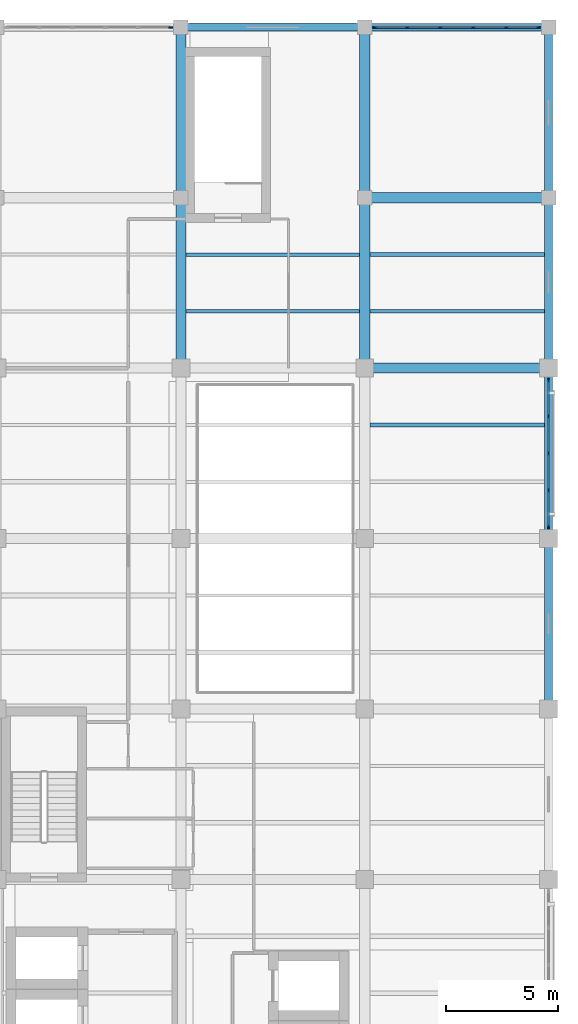
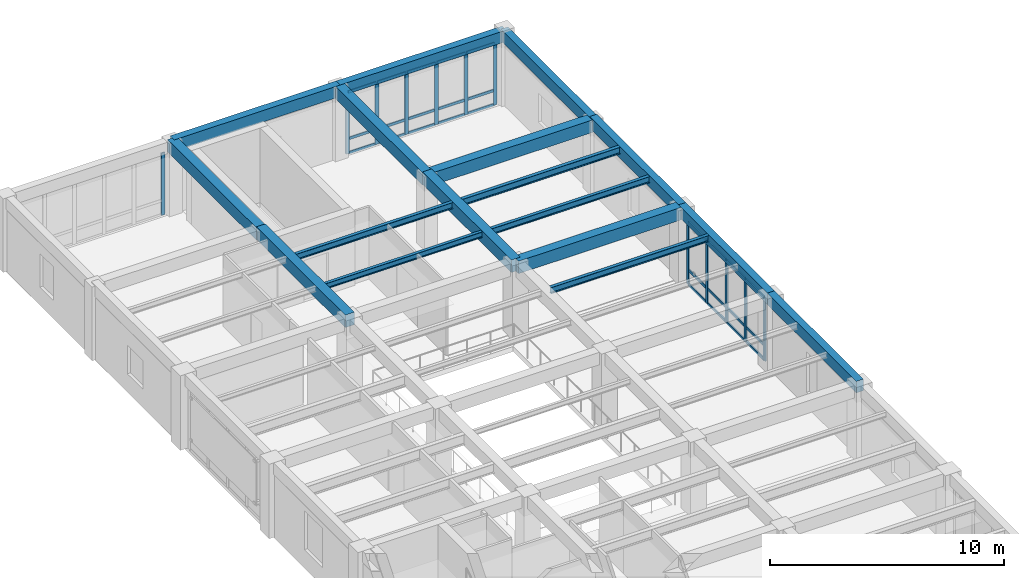
# One storey, part 5 of 15: 39 members, 17 beams, 3 elements without a shape of their own.
"""IFC4 building model written with IfcOpenShell, lengths in metres."""

from ifc_helpers import new_model, si_unit, direction, frame, origin, origin_2d, place, context, subcontext, project, spatial, rectangle, i_section, extrude, material, material_profile, profile_set, type_object, element, aggregate, save


model = new_model("IFC4")

# Units and contexts
model_context = context("Model", 3, precision=1e-05, world=origin(), true_north=direction((0.0, 1.0)))
body_context = subcontext(model_context, "Body", "Model", "MODEL_VIEW")
ifc_project = project(units=[si_unit("LENGTHUNIT", "METRE"), si_unit("AREAUNIT", "SQUARE_METRE"), si_unit("VOLUMEUNIT", "CUBIC_METRE"), si_unit("PLANEANGLEUNIT", "RADIAN"), si_unit("MASSUNIT", "GRAM", prefix="KILO")], contexts=[model_context])

# Site, building, storey
site_placement = place(None, origin())
site = spatial("IfcSite", under=ifc_project, at=site_placement, CompositionType="ELEMENT")
building_placement = place(site_placement, origin())
building = spatial("IfcBuilding", under=site, at=building_placement, Name="Qandaris Square Conservatory and Botanical Centre", CompositionType="ELEMENT")
storey_placement = place(building_placement, frame((0.0, 0.0, 32.39990234375)))
storey = spatial("IfcBuildingStorey", under=building, at=storey_placement, Name="L07", CompositionType="ELEMENT", Elevation=32.39990234375)

# Beams
ifc_material_1 = material(Name="Steel S355", Category="steel")
ifc_material_profile_1 = material_profile(ifc_material_1, i_section(OverallWidth=0.14990234375, OverallDepth=0.300048828125, WebThickness=0.007080078125, FlangeThickness=0.0107421875, FilletRadius=0.014892578125, at=origin_2d()), Name="IPE 300")
ifc_profile_set_1 = profile_set([ifc_material_profile_1], Name="Steel S355")
beam_type_1 = type_object("IfcBeamType", Name="Composite Lab Joist IPE 300", PredefinedType="JOIST", material=ifc_profile_set_1)
beam_1_placement = place(storey_placement, frame((147.625, 64.7333984375, 3.72998046875), z_axis=(1.0, 0.0, 0.0), x_axis=(0.0, 1.0, 0.0)))
element("IfcBeam", 1, at=beam_1_placement, inside=storey, type_object=beam_type_1, Name="L07 Composite Joist 2194", PredefinedType="JOIST", context=body_context, shape_type="SweptSolid", body=[
    extrude(i_section(OverallWidth=0.14990234375, OverallDepth=0.300048828125, WebThickness=0.007080078125, FlangeThickness=0.0107421875, FilletRadius=0.014892578125, at=origin_2d()), origin(), (0.0, 0.0, 1.0), 7.75),
])
ifc_material_profile_2 = material_profile(ifc_material_1, i_section(OverallWidth=0.159912109375, OverallDepth=0.330078125, WebThickness=0.007568359375, FlangeThickness=0.011474609375, FilletRadius=0.01806640625, at=origin_2d()), Name="IPE 330")
ifc_profile_set_2 = profile_set([ifc_material_profile_2], Name="Steel S355")
beam_type_2 = type_object("IfcBeamType", Name="Composite Lab Joist IPE 330", PredefinedType="JOIST", material=ifc_profile_set_2)
beam_2_placement = place(storey_placement, frame((147.625, 67.2666015625, 3.715087890625), z_axis=(1.0, 0.0, 0.0), x_axis=(0.0, 1.0, 0.0)))
element("IfcBeam", 2, at=beam_2_placement, inside=storey, type_object=beam_type_2, Name="L07 Composite Joist 2195", PredefinedType="JOIST", context=body_context, shape_type="SweptSolid", body=[
    extrude(i_section(OverallWidth=0.159912109375, OverallDepth=0.330078125, WebThickness=0.007568359375, FlangeThickness=0.011474609375, FilletRadius=0.01806640625, at=origin_2d()), origin(), (0.0, 0.0, 1.0), 7.75),
])
for number, where, z_axis, x_axis, name in (
    (3, (155.824951171875, 59.666748046875, 3.715087890625), (1.0, 0.0, 0.0), (0.0, 1.0, 0.0), "L07 Composite Joist 2207"),
    (4, (155.824951171875, 64.7333984375, 3.715087890625), (1.0, 0.0, 0.0), (0.0, 1.0, 0.0), "L07 Composite Joist 2208"),
):
    element("IfcBeam", number, at=place(storey_placement, frame(where, z_axis=z_axis, x_axis=x_axis)), inside=storey, type_object=beam_type_2, Name=name, PredefinedType="JOIST", context=body_context, shape_type="SweptSolid", body=[
        extrude(i_section(OverallWidth=0.159912109375, OverallDepth=0.330078125, WebThickness=0.007568359375, FlangeThickness=0.011474609375, FilletRadius=0.01806640625, at=origin_2d()), origin(), (0.0, 0.0, 1.0), 7.800048828125),
    ])
ifc_material_profile_3 = material_profile(ifc_material_1, i_section(OverallWidth=0.169921875, OverallDepth=0.360107421875, WebThickness=0.008056640625, FlangeThickness=0.0126953125, FilletRadius=0.01806640625, at=origin_2d()), Name="IPE 360")
ifc_profile_set_3 = profile_set([ifc_material_profile_3], Name="Steel S355")
beam_type_3 = type_object("IfcBeamType", Name="Composite Lab Joist IPE 360", PredefinedType="JOIST", material=ifc_profile_set_3)
beam_3_placement = place(storey_placement, frame((155.824951171875, 67.2666015625, 3.7001953125), z_axis=(1.0, 0.0, 0.0), x_axis=(0.0, 1.0, 0.0)))
element("IfcBeam", 5, at=beam_3_placement, inside=storey, type_object=beam_type_3, Name="L07 Composite Joist 2209", PredefinedType="JOIST", context=body_context, shape_type="SweptSolid", body=[
    extrude(i_section(OverallWidth=0.169921875, OverallDepth=0.360107421875, WebThickness=0.008056640625, FlangeThickness=0.0126953125, FilletRadius=0.01806640625, at=origin_2d()), origin(), (0.0, 0.0, 1.0), 7.800048828125),
])

# Curtain wall, members
ifc_material_2 = material(Name="Anodised Aluminium", Category="aluminium")
curtain_wall_type_1 = type_object("IfcCurtainWallType", Name="Unitised Curtain Wall CW-4-660x329", PredefinedType="USERDEFINED", material=ifc_material_2)
curtain_wall_1_placement = place(storey_placement, origin())
curtain_wall_1 = element("IfcCurtainWall", 6, at=curtain_wall_1_placement, inside=storey, type_object=curtain_wall_type_1, Name="Curtain Wall CW-TWR-L07-2-6", ObjectType="GLAZED CURTAIN WALL", PredefinedType="USERDEFINED")
ifc_material_profile_4 = material_profile(ifc_material_2, rectangle(XDim=0.06494140625, YDim=0.179931640625, at=origin_2d()), Name="ALU-MUL 65x180")
ifc_profile_set_4 = profile_set([ifc_material_profile_4], Name="Anodised Aluminium")
member_type_1 = type_object("IfcMemberType", Name="Curtain Wall Mullion 65x180", PredefinedType="MULLION", material=ifc_profile_set_4)
member_1_placement = place(storey_placement, frame((163.800048828125, 55.132568359375, 0.0), z_axis=(0.0, 0.0, 1.0), x_axis=(-1.0, 0.0, 0.0)))
member_1 = element("IfcMember", 7, at=member_1_placement, type_object=member_type_1, Name="CW-4-660x329 mullion 1", PredefinedType="MULLION", context=body_context, shape_type="SweptSolid", body=[
    extrude(rectangle(XDim=0.06494140625, YDim=0.179931640625, at=origin_2d()), origin(), (0.0, 0.0, 1.0), 3.2900390625),
])
member_2_placement = place(storey_placement, frame((163.800048828125, 56.75, 0.0), z_axis=(0.0, 0.0, 1.0), x_axis=(-1.0, 0.0, 0.0)))
member_2 = element("IfcMember", 8, at=member_2_placement, type_object=member_type_1, Name="CW-4-660x329 mullion 2", PredefinedType="MULLION", context=body_context, shape_type="SweptSolid", body=[
    extrude(rectangle(XDim=0.06494140625, YDim=0.179931640625, at=origin_2d()), origin(), (0.0, 0.0, 1.0), 3.2900390625),
])
member_3_placement = place(storey_placement, frame((163.800048828125, 58.39990234375, 0.0), z_axis=(0.0, 0.0, 1.0), x_axis=(-1.0, 0.0, 0.0)))
member_3 = element("IfcMember", 9, at=member_3_placement, type_object=member_type_1, Name="CW-4-660x329 mullion 3", PredefinedType="MULLION", context=body_context, shape_type="SweptSolid", body=[
    extrude(rectangle(XDim=0.06494140625, YDim=0.179931640625, at=origin_2d()), origin(), (0.0, 0.0, 1.0), 3.2900390625),
])
member_4_placement = place(storey_placement, frame((163.800048828125, 60.050048828125, 0.0), z_axis=(0.0, 0.0, 1.0), x_axis=(-1.0, 0.0, 0.0)))
member_4 = element("IfcMember", 10, at=member_4_placement, type_object=member_type_1, Name="CW-4-660x329 mullion 4", PredefinedType="MULLION", context=body_context, shape_type="SweptSolid", body=[
    extrude(rectangle(XDim=0.06494140625, YDim=0.179931640625, at=origin_2d()), origin(), (0.0, 0.0, 1.0), 3.2900390625),
])
member_5_placement = place(storey_placement, frame((163.800048828125, 61.66748046875, 0.0), z_axis=(0.0, 0.0, 1.0), x_axis=(-1.0, 0.0, 0.0)))
member_5 = element("IfcMember", 11, at=member_5_placement, type_object=member_type_1, Name="CW-4-660x329 mullion 5", PredefinedType="MULLION", context=body_context, shape_type="SweptSolid", body=[
    extrude(rectangle(XDim=0.06494140625, YDim=0.179931640625, at=origin_2d()), origin(), (0.0, 0.0, 1.0), 3.2900390625),
])

curtain_wall_type_2 = type_object("IfcCurtainWallType", Name="Unitised Curtain Wall CW-3-735x324", PredefinedType="USERDEFINED", material=ifc_material_2)
curtain_wall_2_placement = place(storey_placement, origin())
curtain_wall_2 = element("IfcCurtainWall", 12, at=curtain_wall_2_placement, inside=storey, type_object=curtain_wall_type_2, Name="Curtain Wall CW-TWR-L07-3-1", ObjectType="GLAZED CURTAIN WALL", PredefinedType="USERDEFINED")
member_6_placement = place(storey_placement, frame((163.342529296875, 77.39990234375, 0.0), z_axis=(0.0, 0.0, 1.0), x_axis=(0.0, -1.0, 0.0)))
member_6 = element("IfcMember", 13, at=member_6_placement, type_object=member_type_1, Name="CW-3-735x324 mullion 1", PredefinedType="MULLION", context=body_context, shape_type="SweptSolid", body=[
    extrude(rectangle(XDim=0.06494140625, YDim=0.179931640625, at=origin_2d()), origin(), (0.0, 0.0, 1.0), 3.239990234375),
])
member_7_placement = place(storey_placement, frame((161.905029296875, 77.39990234375, 0.0), z_axis=(0.0, 0.0, 1.0), x_axis=(0.0, -1.0, 0.0)))
member_7 = element("IfcMember", 14, at=member_7_placement, type_object=member_type_1, Name="CW-3-735x324 mullion 2", PredefinedType="MULLION", context=body_context, shape_type="SweptSolid", body=[
    extrude(rectangle(XDim=0.06494140625, YDim=0.179931640625, at=origin_2d()), origin(), (0.0, 0.0, 1.0), 3.239990234375),
])
member_8_placement = place(storey_placement, frame((160.43505859375, 77.39990234375, 0.0), z_axis=(0.0, 0.0, 1.0), x_axis=(0.0, -1.0, 0.0)))
member_8 = element("IfcMember", 15, at=member_8_placement, type_object=member_type_1, Name="CW-3-735x324 mullion 3", PredefinedType="MULLION", context=body_context, shape_type="SweptSolid", body=[
    extrude(rectangle(XDim=0.06494140625, YDim=0.179931640625, at=origin_2d()), origin(), (0.0, 0.0, 1.0), 3.239990234375),
])
member_9_placement = place(storey_placement, frame((158.965087890625, 77.39990234375, 0.0), z_axis=(0.0, 0.0, 1.0), x_axis=(0.0, -1.0, 0.0)))
member_9 = element("IfcMember", 16, at=member_9_placement, type_object=member_type_1, Name="CW-3-735x324 mullion 4", PredefinedType="MULLION", context=body_context, shape_type="SweptSolid", body=[
    extrude(rectangle(XDim=0.06494140625, YDim=0.179931640625, at=origin_2d()), origin(), (0.0, 0.0, 1.0), 3.239990234375),
])
member_10_placement = place(storey_placement, frame((157.4951171875, 77.39990234375, 0.0), z_axis=(0.0, 0.0, 1.0), x_axis=(0.0, -1.0, 0.0)))
member_10 = element("IfcMember", 17, at=member_10_placement, type_object=member_type_1, Name="CW-3-735x324 mullion 5", PredefinedType="MULLION", context=body_context, shape_type="SweptSolid", body=[
    extrude(rectangle(XDim=0.06494140625, YDim=0.179931640625, at=origin_2d()), origin(), (0.0, 0.0, 1.0), 3.239990234375),
])
member_11_placement = place(storey_placement, frame((156.0576171875, 77.39990234375, 0.0), z_axis=(0.0, 0.0, 1.0), x_axis=(0.0, -1.0, 0.0)))
member_11 = element("IfcMember", 18, at=member_11_placement, type_object=member_type_1, Name="CW-3-735x324 mullion 6", PredefinedType="MULLION", context=body_context, shape_type="SweptSolid", body=[
    extrude(rectangle(XDim=0.06494140625, YDim=0.179931640625, at=origin_2d()), origin(), (0.0, 0.0, 1.0), 3.239990234375),
])

# Curtain wall, member
curtain_wall_3_placement = place(storey_placement, origin())
curtain_wall_3 = element("IfcCurtainWall", 19, at=curtain_wall_3_placement, inside=storey, type_object=curtain_wall_type_2, Name="Curtain Wall CW-TWR-L07-3-3", ObjectType="GLAZED CURTAIN WALL", PredefinedType="USERDEFINED")
member_12_placement = place(storey_placement, frame((146.9423828125, 77.39990234375, 0.0), z_axis=(0.0, 0.0, 1.0), x_axis=(0.0, -1.0, 0.0)))
member_12 = element("IfcMember", 20, at=member_12_placement, type_object=member_type_1, Name="CW-3-735x324 mullion 1", PredefinedType="MULLION", context=body_context, shape_type="SweptSolid", body=[
    extrude(rectangle(XDim=0.06494140625, YDim=0.179931640625, at=origin_2d()), origin(), (0.0, 0.0, 1.0), 3.239990234375),
])
aggregate(curtain_wall_3, [member_12])

# Member
ifc_material_profile_5 = material_profile(ifc_material_2, rectangle(XDim=0.06494140625, YDim=0.139892578125, at=origin_2d()), Name="ALU-TRN 65x140")
ifc_profile_set_5 = profile_set([ifc_material_profile_5], Name="Anodised Aluminium")
member_type_2 = type_object("IfcMemberType", Name="Curtain Wall Transom 65x140", PredefinedType="USERDEFINED", material=ifc_profile_set_5)
member_13_placement = place(storey_placement, frame((163.800048828125, 55.1650390625, 0.03271484375), z_axis=(0.0, 1.0, 0.0), x_axis=(-1.0, 0.0, 0.0)))
member_13 = element("IfcMember", 21, at=member_13_placement, type_object=member_type_2, Name="CW-4-660x329 transom 1.1", ObjectType="TRANSOM", PredefinedType="USERDEFINED", context=body_context, shape_type="SweptSolid", body=[
    extrude(rectangle(XDim=0.06494140625, YDim=0.139892578125, at=origin_2d()), origin(), (0.0, 0.0, 1.0), 1.552490234375),
])

member_14_placement = place(storey_placement, frame((163.800048828125, 55.1650390625, 0.789794921875), z_axis=(0.0, 1.0, 0.0), x_axis=(-1.0, 0.0, 0.0)))
member_14 = element("IfcMember", 22, at=member_14_placement, type_object=member_type_2, Name="CW-4-660x329 transom 1.2", ObjectType="TRANSOM", PredefinedType="USERDEFINED", context=body_context, shape_type="SweptSolid", body=[
    extrude(rectangle(XDim=0.06494140625, YDim=0.139892578125, at=origin_2d()), origin(), (0.0, 0.0, 1.0), 1.552490234375),
])

member_15_placement = place(storey_placement, frame((163.800048828125, 55.1650390625, 3.257568359375), z_axis=(0.0, 1.0, 0.0), x_axis=(-1.0, 0.0, 0.0)))
member_15 = element("IfcMember", 23, at=member_15_placement, type_object=member_type_2, Name="CW-4-660x329 transom 1.3", ObjectType="TRANSOM", PredefinedType="USERDEFINED", context=body_context, shape_type="SweptSolid", body=[
    extrude(rectangle(XDim=0.06494140625, YDim=0.139892578125, at=origin_2d()), origin(), (0.0, 0.0, 1.0), 1.552490234375),
])

member_16_placement = place(storey_placement, frame((163.800048828125, 56.782470703125, 0.03271484375), z_axis=(0.0, 1.0, 0.0), x_axis=(-1.0, 0.0, 0.0)))
member_16 = element("IfcMember", 24, at=member_16_placement, type_object=member_type_2, Name="CW-4-660x329 transom 2.1", ObjectType="TRANSOM", PredefinedType="USERDEFINED", context=body_context, shape_type="SweptSolid", body=[
    extrude(rectangle(XDim=0.06494140625, YDim=0.139892578125, at=origin_2d()), origin(), (0.0, 0.0, 1.0), 1.5849609375),
])

member_17_placement = place(storey_placement, frame((163.800048828125, 56.782470703125, 0.789794921875), z_axis=(0.0, 1.0, 0.0), x_axis=(-1.0, 0.0, 0.0)))
member_17 = element("IfcMember", 25, at=member_17_placement, type_object=member_type_2, Name="CW-4-660x329 transom 2.2", ObjectType="TRANSOM", PredefinedType="USERDEFINED", context=body_context, shape_type="SweptSolid", body=[
    extrude(rectangle(XDim=0.06494140625, YDim=0.139892578125, at=origin_2d()), origin(), (0.0, 0.0, 1.0), 1.5849609375),
])

member_18_placement = place(storey_placement, frame((163.800048828125, 56.782470703125, 3.257568359375), z_axis=(0.0, 1.0, 0.0), x_axis=(-1.0, 0.0, 0.0)))
member_18 = element("IfcMember", 26, at=member_18_placement, type_object=member_type_2, Name="CW-4-660x329 transom 2.3", ObjectType="TRANSOM", PredefinedType="USERDEFINED", context=body_context, shape_type="SweptSolid", body=[
    extrude(rectangle(XDim=0.06494140625, YDim=0.139892578125, at=origin_2d()), origin(), (0.0, 0.0, 1.0), 1.5849609375),
])

member_19_placement = place(storey_placement, frame((163.800048828125, 58.4326171875, 0.03271484375), z_axis=(0.0, 1.0, 0.0), x_axis=(-1.0, 0.0, 0.0)))
member_19 = element("IfcMember", 27, at=member_19_placement, type_object=member_type_2, Name="CW-4-660x329 transom 3.1", ObjectType="TRANSOM", PredefinedType="USERDEFINED", context=body_context, shape_type="SweptSolid", body=[
    extrude(rectangle(XDim=0.06494140625, YDim=0.139892578125, at=origin_2d()), origin(), (0.0, 0.0, 1.0), 1.5849609375),
])

member_20_placement = place(storey_placement, frame((163.800048828125, 58.4326171875, 0.789794921875), z_axis=(0.0, 1.0, 0.0), x_axis=(-1.0, 0.0, 0.0)))
member_20 = element("IfcMember", 28, at=member_20_placement, type_object=member_type_2, Name="CW-4-660x329 transom 3.2", ObjectType="TRANSOM", PredefinedType="USERDEFINED", context=body_context, shape_type="SweptSolid", body=[
    extrude(rectangle(XDim=0.06494140625, YDim=0.139892578125, at=origin_2d()), origin(), (0.0, 0.0, 1.0), 1.5849609375),
])

member_21_placement = place(storey_placement, frame((163.800048828125, 58.4326171875, 3.257568359375), z_axis=(0.0, 1.0, 0.0), x_axis=(-1.0, 0.0, 0.0)))
member_21 = element("IfcMember", 29, at=member_21_placement, type_object=member_type_2, Name="CW-4-660x329 transom 3.3", ObjectType="TRANSOM", PredefinedType="USERDEFINED", context=body_context, shape_type="SweptSolid", body=[
    extrude(rectangle(XDim=0.06494140625, YDim=0.139892578125, at=origin_2d()), origin(), (0.0, 0.0, 1.0), 1.5849609375),
])

member_22_placement = place(storey_placement, frame((163.800048828125, 60.08251953125, 0.03271484375), z_axis=(0.0, 1.0, 0.0), x_axis=(-1.0, 0.0, 0.0)))
member_22 = element("IfcMember", 30, at=member_22_placement, type_object=member_type_2, Name="CW-4-660x329 transom 4.1", ObjectType="TRANSOM", PredefinedType="USERDEFINED", context=body_context, shape_type="SweptSolid", body=[
    extrude(rectangle(XDim=0.06494140625, YDim=0.139892578125, at=origin_2d()), origin(), (0.0, 0.0, 1.0), 1.552490234375),
])

member_23_placement = place(storey_placement, frame((163.800048828125, 60.08251953125, 0.789794921875), z_axis=(0.0, 1.0, 0.0), x_axis=(-1.0, 0.0, 0.0)))
member_23 = element("IfcMember", 31, at=member_23_placement, type_object=member_type_2, Name="CW-4-660x329 transom 4.2", ObjectType="TRANSOM", PredefinedType="USERDEFINED", context=body_context, shape_type="SweptSolid", body=[
    extrude(rectangle(XDim=0.06494140625, YDim=0.139892578125, at=origin_2d()), origin(), (0.0, 0.0, 1.0), 1.552490234375),
])

member_24_placement = place(storey_placement, frame((163.800048828125, 60.08251953125, 3.257568359375), z_axis=(0.0, 1.0, 0.0), x_axis=(-1.0, 0.0, 0.0)))
member_24 = element("IfcMember", 32, at=member_24_placement, type_object=member_type_2, Name="CW-4-660x329 transom 4.3", ObjectType="TRANSOM", PredefinedType="USERDEFINED", context=body_context, shape_type="SweptSolid", body=[
    extrude(rectangle(XDim=0.06494140625, YDim=0.139892578125, at=origin_2d()), origin(), (0.0, 0.0, 1.0), 1.552490234375),
])

aggregate(curtain_wall_1, [member_1, member_2, member_3, member_4, member_5, member_13, member_14, member_15, member_16, member_17, member_18, member_19, member_20, member_21, member_22, member_23, member_24])

member_25_placement = place(storey_placement, frame((163.31005859375, 77.39990234375, 0.03271484375), z_axis=(-1.0, 0.0, 0.0), x_axis=(0.0, -1.0, 0.0)))
member_25 = element("IfcMember", 33, at=member_25_placement, type_object=member_type_2, Name="CW-3-735x324 transom 1.1", ObjectType="TRANSOM", PredefinedType="USERDEFINED", context=body_context, shape_type="SweptSolid", body=[
    extrude(rectangle(XDim=0.06494140625, YDim=0.139892578125, at=origin_2d()), origin(), (0.0, 0.0, 1.0), 1.37255859375),
])

member_26_placement = place(storey_placement, frame((163.31005859375, 77.39990234375, 0.777587890625), z_axis=(-1.0, 0.0, 0.0), x_axis=(0.0, -1.0, 0.0)))
member_26 = element("IfcMember", 34, at=member_26_placement, type_object=member_type_2, Name="CW-3-735x324 transom 1.2", ObjectType="TRANSOM", PredefinedType="USERDEFINED", context=body_context, shape_type="SweptSolid", body=[
    extrude(rectangle(XDim=0.06494140625, YDim=0.139892578125, at=origin_2d()), origin(), (0.0, 0.0, 1.0), 1.37255859375),
])

member_27_placement = place(storey_placement, frame((163.31005859375, 77.39990234375, 3.20751953125), z_axis=(-1.0, 0.0, 0.0), x_axis=(0.0, -1.0, 0.0)))
member_27 = element("IfcMember", 35, at=member_27_placement, type_object=member_type_2, Name="CW-3-735x324 transom 1.3", ObjectType="TRANSOM", PredefinedType="USERDEFINED", context=body_context, shape_type="SweptSolid", body=[
    extrude(rectangle(XDim=0.06494140625, YDim=0.139892578125, at=origin_2d()), origin(), (0.0, 0.0, 1.0), 1.37255859375),
])

member_28_placement = place(storey_placement, frame((161.87255859375, 77.39990234375, 0.03271484375), z_axis=(-1.0, 0.0, 0.0), x_axis=(0.0, -1.0, 0.0)))
member_28 = element("IfcMember", 36, at=member_28_placement, type_object=member_type_2, Name="CW-3-735x324 transom 2.1", ObjectType="TRANSOM", PredefinedType="USERDEFINED", context=body_context, shape_type="SweptSolid", body=[
    extrude(rectangle(XDim=0.06494140625, YDim=0.139892578125, at=origin_2d()), origin(), (0.0, 0.0, 1.0), 1.405029296875),
])

member_29_placement = place(storey_placement, frame((161.87255859375, 77.39990234375, 0.777587890625), z_axis=(-1.0, 0.0, 0.0), x_axis=(0.0, -1.0, 0.0)))
member_29 = element("IfcMember", 37, at=member_29_placement, type_object=member_type_2, Name="CW-3-735x324 transom 2.2", ObjectType="TRANSOM", PredefinedType="USERDEFINED", context=body_context, shape_type="SweptSolid", body=[
    extrude(rectangle(XDim=0.06494140625, YDim=0.139892578125, at=origin_2d()), origin(), (0.0, 0.0, 1.0), 1.405029296875),
])

member_30_placement = place(storey_placement, frame((161.87255859375, 77.39990234375, 3.20751953125), z_axis=(-1.0, 0.0, 0.0), x_axis=(0.0, -1.0, 0.0)))
member_30 = element("IfcMember", 38, at=member_30_placement, type_object=member_type_2, Name="CW-3-735x324 transom 2.3", ObjectType="TRANSOM", PredefinedType="USERDEFINED", context=body_context, shape_type="SweptSolid", body=[
    extrude(rectangle(XDim=0.06494140625, YDim=0.139892578125, at=origin_2d()), origin(), (0.0, 0.0, 1.0), 1.405029296875),
])

member_31_placement = place(storey_placement, frame((160.402587890625, 77.39990234375, 0.03271484375), z_axis=(-1.0, 0.0, 0.0), x_axis=(0.0, -1.0, 0.0)))
member_31 = element("IfcMember", 39, at=member_31_placement, type_object=member_type_2, Name="CW-3-735x324 transom 3.1", ObjectType="TRANSOM", PredefinedType="USERDEFINED", context=body_context, shape_type="SweptSolid", body=[
    extrude(rectangle(XDim=0.06494140625, YDim=0.139892578125, at=origin_2d()), origin(), (0.0, 0.0, 1.0), 1.405029296875),
])

member_32_placement = place(storey_placement, frame((160.402587890625, 77.39990234375, 0.777587890625), z_axis=(-1.0, 0.0, 0.0), x_axis=(0.0, -1.0, 0.0)))
member_32 = element("IfcMember", 40, at=member_32_placement, type_object=member_type_2, Name="CW-3-735x324 transom 3.2", ObjectType="TRANSOM", PredefinedType="USERDEFINED", context=body_context, shape_type="SweptSolid", body=[
    extrude(rectangle(XDim=0.06494140625, YDim=0.139892578125, at=origin_2d()), origin(), (0.0, 0.0, 1.0), 1.405029296875),
])

member_33_placement = place(storey_placement, frame((160.402587890625, 77.39990234375, 3.20751953125), z_axis=(-1.0, 0.0, 0.0), x_axis=(0.0, -1.0, 0.0)))
member_33 = element("IfcMember", 41, at=member_33_placement, type_object=member_type_2, Name="CW-3-735x324 transom 3.3", ObjectType="TRANSOM", PredefinedType="USERDEFINED", context=body_context, shape_type="SweptSolid", body=[
    extrude(rectangle(XDim=0.06494140625, YDim=0.139892578125, at=origin_2d()), origin(), (0.0, 0.0, 1.0), 1.405029296875),
])

member_34_placement = place(storey_placement, frame((158.9326171875, 77.39990234375, 0.03271484375), z_axis=(-1.0, 0.0, 0.0), x_axis=(0.0, -1.0, 0.0)))
member_34 = element("IfcMember", 42, at=member_34_placement, type_object=member_type_2, Name="CW-3-735x324 transom 4.1", ObjectType="TRANSOM", PredefinedType="USERDEFINED", context=body_context, shape_type="SweptSolid", body=[
    extrude(rectangle(XDim=0.06494140625, YDim=0.139892578125, at=origin_2d()), origin(), (0.0, 0.0, 1.0), 1.405029296875),
])

member_35_placement = place(storey_placement, frame((158.9326171875, 77.39990234375, 0.777587890625), z_axis=(-1.0, 0.0, 0.0), x_axis=(0.0, -1.0, 0.0)))
member_35 = element("IfcMember", 43, at=member_35_placement, type_object=member_type_2, Name="CW-3-735x324 transom 4.2", ObjectType="TRANSOM", PredefinedType="USERDEFINED", context=body_context, shape_type="SweptSolid", body=[
    extrude(rectangle(XDim=0.06494140625, YDim=0.139892578125, at=origin_2d()), origin(), (0.0, 0.0, 1.0), 1.405029296875),
])

member_36_placement = place(storey_placement, frame((158.9326171875, 77.39990234375, 3.20751953125), z_axis=(-1.0, 0.0, 0.0), x_axis=(0.0, -1.0, 0.0)))
member_36 = element("IfcMember", 44, at=member_36_placement, type_object=member_type_2, Name="CW-3-735x324 transom 4.3", ObjectType="TRANSOM", PredefinedType="USERDEFINED", context=body_context, shape_type="SweptSolid", body=[
    extrude(rectangle(XDim=0.06494140625, YDim=0.139892578125, at=origin_2d()), origin(), (0.0, 0.0, 1.0), 1.405029296875),
])

member_37_placement = place(storey_placement, frame((157.46240234375, 77.39990234375, 0.03271484375), z_axis=(-1.0, 0.0, 0.0), x_axis=(0.0, -1.0, 0.0)))
member_37 = element("IfcMember", 45, at=member_37_placement, type_object=member_type_2, Name="CW-3-735x324 transom 5.1", ObjectType="TRANSOM", PredefinedType="USERDEFINED", context=body_context, shape_type="SweptSolid", body=[
    extrude(rectangle(XDim=0.06494140625, YDim=0.139892578125, at=origin_2d()), origin(), (0.0, 0.0, 1.0), 1.372314453125),
])

member_38_placement = place(storey_placement, frame((157.46240234375, 77.39990234375, 0.777587890625), z_axis=(-1.0, 0.0, 0.0), x_axis=(0.0, -1.0, 0.0)))
member_38 = element("IfcMember", 46, at=member_38_placement, type_object=member_type_2, Name="CW-3-735x324 transom 5.2", ObjectType="TRANSOM", PredefinedType="USERDEFINED", context=body_context, shape_type="SweptSolid", body=[
    extrude(rectangle(XDim=0.06494140625, YDim=0.139892578125, at=origin_2d()), origin(), (0.0, 0.0, 1.0), 1.372314453125),
])

member_39_placement = place(storey_placement, frame((157.46240234375, 77.39990234375, 3.20751953125), z_axis=(-1.0, 0.0, 0.0), x_axis=(0.0, -1.0, 0.0)))
member_39 = element("IfcMember", 47, at=member_39_placement, type_object=member_type_2, Name="CW-3-735x324 transom 5.3", ObjectType="TRANSOM", PredefinedType="USERDEFINED", context=body_context, shape_type="SweptSolid", body=[
    extrude(rectangle(XDim=0.06494140625, YDim=0.139892578125, at=origin_2d()), origin(), (0.0, 0.0, 1.0), 1.372314453125),
])

aggregate(curtain_wall_2, [member_6, member_7, member_8, member_9, member_10, member_11, member_25, member_26, member_27, member_28, member_29, member_30, member_31, member_32, member_33, member_34, member_35, member_36, member_37, member_38, member_39])

# Beams
ifc_material_3 = material(Name="Concrete C50/60", Category="concrete")
ifc_material_profile_6 = material_profile(ifc_material_3, rectangle(XDim=0.35009765625, YDim=0.60009765625, at=origin_2d()), Name="RC-SP 350x600")
ifc_profile_set_6 = profile_set([ifc_material_profile_6], Name="Concrete C50/60")
beam_type_4 = type_object("IfcBeamType", Name="RC Edge Spandrel Beam 350x600", PredefinedType="SPANDREL", material=ifc_profile_set_6)
beam_4_placement = place(storey_placement, frame((147.39990234375, 77.39990234375, 3.5400390625), z_axis=(1.0, 0.0, 0.0), x_axis=(0.0, 1.0, 0.0)))
element("IfcBeam", 48, at=beam_4_placement, inside=storey, type_object=beam_type_4, Name="L07 Frame Beam 2121", PredefinedType="SPANDREL", context=body_context, shape_type="SweptSolid", body=[
    extrude(rectangle(XDim=0.35009765625, YDim=0.60009765625, at=origin_2d()), origin(), (0.0, 0.0, 1.0), 8.2001953125),
])
beam_5_placement = place(storey_placement, frame((155.60009765625, 77.39990234375, 3.5400390625), z_axis=(1.0, 0.0, 0.0), x_axis=(0.0, 1.0, 0.0)))
element("IfcBeam", 49, at=beam_5_placement, inside=storey, type_object=beam_type_4, Name="L07 Frame Beam 2122", PredefinedType="SPANDREL", context=body_context, shape_type="SweptSolid", body=[
    extrude(rectangle(XDim=0.35009765625, YDim=0.60009765625, at=origin_2d()), origin(), (0.0, 0.0, 1.0), 8.199951171875),
])
beam_6_placement = place(storey_placement, frame((163.800048828125, 47.0, 3.590087890625), z_axis=(0.0, 1.0, 0.0), x_axis=(-1.0, 0.0, 0.0)))
element("IfcBeam", 50, at=beam_6_placement, inside=storey, type_object=beam_type_4, Name="L07 Frame Beam 2160", PredefinedType="SPANDREL", context=body_context, shape_type="SweptSolid", body=[
    extrude(rectangle(XDim=0.35009765625, YDim=0.60009765625, at=origin_2d()), origin(), (0.0, 0.0, 1.0), 7.60009765625),
])
beam_7_placement = place(storey_placement, frame((163.800048828125, 54.60009765625, 3.590087890625), z_axis=(0.0, 1.0, 0.0), x_axis=(-1.0, 0.0, 0.0)))
element("IfcBeam", 51, at=beam_7_placement, inside=storey, type_object=beam_type_4, Name="L07 Frame Beam 2161", PredefinedType="SPANDREL", context=body_context, shape_type="SweptSolid", body=[
    extrude(rectangle(XDim=0.35009765625, YDim=0.60009765625, at=origin_2d()), origin(), (0.0, 0.0, 1.0), 7.599853515625),
])
beam_8_placement = place(storey_placement, frame((163.800048828125, 62.199951171875, 3.590087890625), z_axis=(0.0, 1.0, 0.0), x_axis=(-1.0, 0.0, 0.0)))
element("IfcBeam", 52, at=beam_8_placement, inside=storey, type_object=beam_type_4, Name="L07 Frame Beam 2162", PredefinedType="SPANDREL", context=body_context, shape_type="SweptSolid", body=[
    extrude(rectangle(XDim=0.35009765625, YDim=0.60009765625, at=origin_2d()), origin(), (0.0, 0.0, 1.0), 7.60009765625),
])
beam_9_placement = place(storey_placement, frame((163.800048828125, 69.800048828125, 3.5400390625), z_axis=(0.0, 1.0, 0.0), x_axis=(-1.0, 0.0, 0.0)))
element("IfcBeam", 53, at=beam_9_placement, inside=storey, type_object=beam_type_4, Name="L07 Frame Beam 2163", PredefinedType="SPANDREL", context=body_context, shape_type="SweptSolid", body=[
    extrude(rectangle(XDim=0.35009765625, YDim=0.60009765625, at=origin_2d()), origin(), (0.0, 0.0, 1.0), 7.599853515625),
])
ifc_material_profile_7 = material_profile(ifc_material_3, rectangle(XDim=0.449951171875, YDim=0.64990234375, at=origin_2d()), Name="RC-BM 450x650")
ifc_profile_set_7 = profile_set([ifc_material_profile_7], Name="Concrete C50/60")
beam_type_5 = type_object("IfcBeamType", Name="RC Floor Girder 450x650", PredefinedType="BEAM", material=ifc_profile_set_7)
for number, where, z_axis, x_axis, name in (
    (54, (155.60009765625, 62.199951171875, 3.565185546875), (1.0, 0.0, 0.0), (0.0, 1.0, 0.0), "L07 Frame Beam 2117"),
    (55, (155.60009765625, 69.800048828125, 3.51513671875), (1.0, 0.0, 0.0), (0.0, 1.0, 0.0), "L07 Frame Beam 2119"),
):
    element("IfcBeam", number, at=place(storey_placement, frame(where, z_axis=z_axis, x_axis=x_axis)), inside=storey, type_object=beam_type_5, Name=name, PredefinedType="BEAM", context=body_context, shape_type="SweptSolid", body=[
        extrude(rectangle(XDim=0.449951171875, YDim=0.64990234375, at=origin_2d()), origin(), (0.0, 0.0, 1.0), 8.199951171875),
    ])
beam_10_placement = place(storey_placement, frame((147.39990234375, 62.199951171875, 3.565185546875), z_axis=(0.0, 1.0, 0.0), x_axis=(-1.0, 0.0, 0.0)))
element("IfcBeam", 56, at=beam_10_placement, inside=storey, type_object=beam_type_5, Name="L07 Frame Beam 2146", PredefinedType="BEAM", context=body_context, shape_type="SweptSolid", body=[
    extrude(rectangle(XDim=0.449951171875, YDim=0.64990234375, at=origin_2d()), origin(), (0.0, 0.0, 1.0), 7.60009765625),
])
beam_11_placement = place(storey_placement, frame((147.39990234375, 69.800048828125, 3.51513671875), z_axis=(0.0, 1.0, 0.0), x_axis=(-1.0, 0.0, 0.0)))
element("IfcBeam", 57, at=beam_11_placement, inside=storey, type_object=beam_type_5, Name="L07 Frame Beam 2147", PredefinedType="BEAM", context=body_context, shape_type="SweptSolid", body=[
    extrude(rectangle(XDim=0.449951171875, YDim=0.64990234375, at=origin_2d()), origin(), (0.0, 0.0, 1.0), 7.599853515625),
])
beam_12_placement = place(storey_placement, frame((155.60009765625, 62.199951171875, 3.565185546875), z_axis=(0.0, 1.0, 0.0), x_axis=(-1.0, 0.0, 0.0)))
element("IfcBeam", 58, at=beam_12_placement, inside=storey, type_object=beam_type_5, Name="L07 Frame Beam 2154", PredefinedType="BEAM", context=body_context, shape_type="SweptSolid", body=[
    extrude(rectangle(XDim=0.449951171875, YDim=0.64990234375, at=origin_2d()), origin(), (0.0, 0.0, 1.0), 7.60009765625),
])
beam_13_placement = place(storey_placement, frame((155.60009765625, 69.800048828125, 3.51513671875), z_axis=(0.0, 1.0, 0.0), x_axis=(-1.0, 0.0, 0.0)))
element("IfcBeam", 59, at=beam_13_placement, inside=storey, type_object=beam_type_5, Name="L07 Frame Beam 2155", PredefinedType="BEAM", context=body_context, shape_type="SweptSolid", body=[
    extrude(rectangle(XDim=0.449951171875, YDim=0.64990234375, at=origin_2d()), origin(), (0.0, 0.0, 1.0), 7.599853515625),
])

save(model, "model.ifc")
